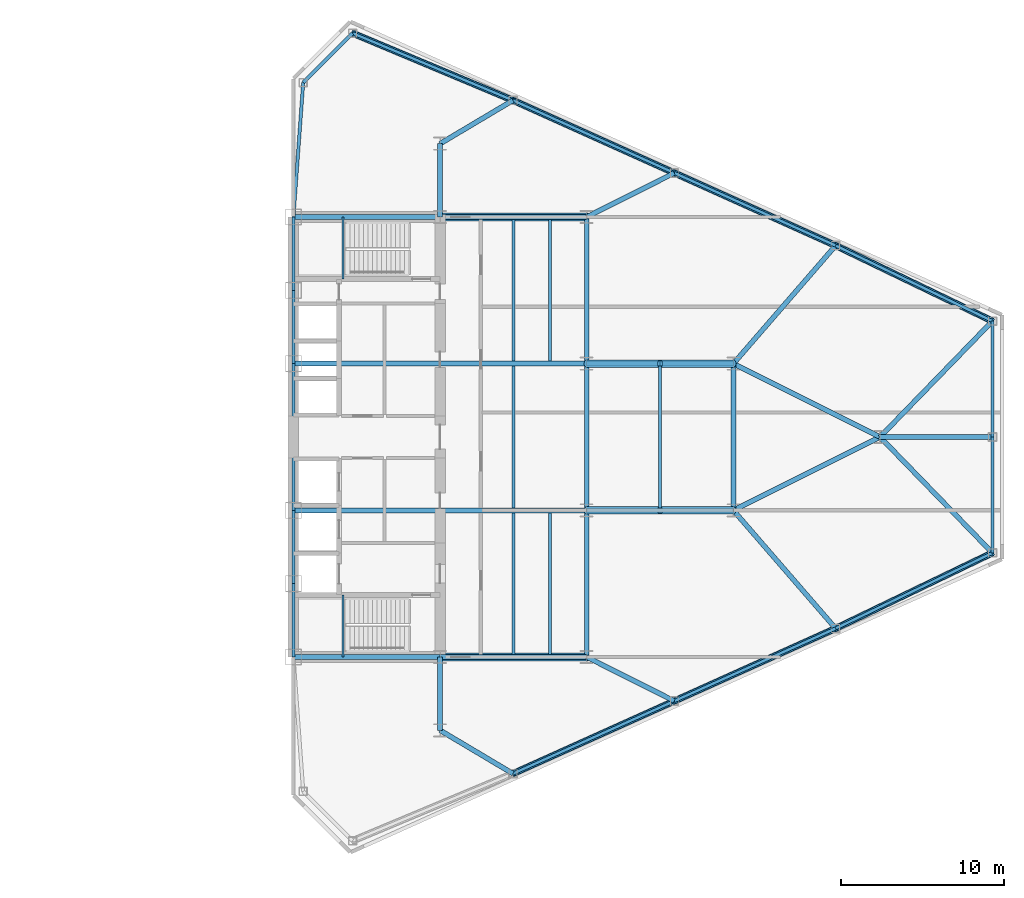
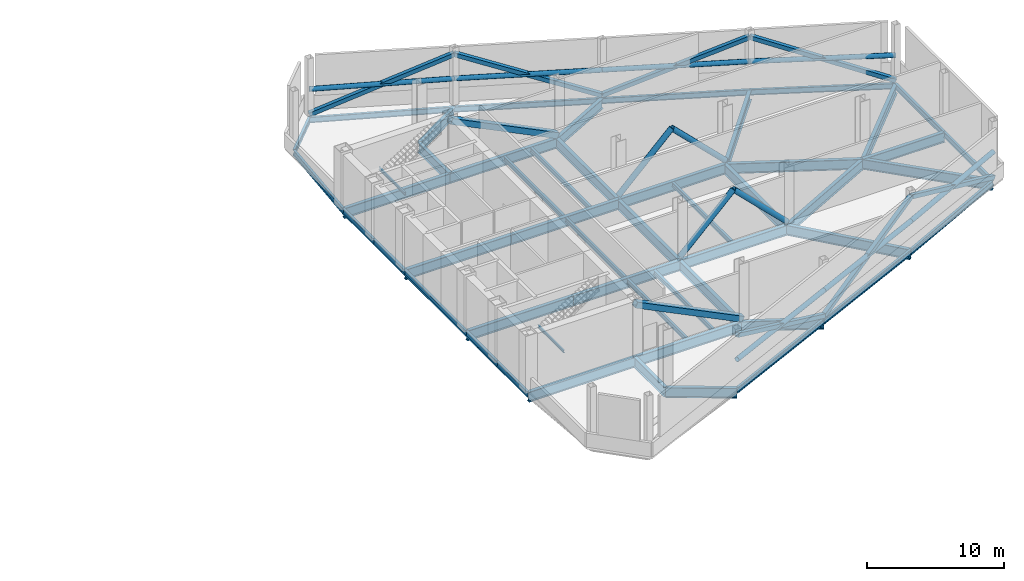
# One storey, part 4 of 11: 51 beams, 20 members.
"""IFC4 building model written with IfcOpenShell, lengths in metres."""

from ifc_helpers import new_model, si_unit, direction, frame, origin, origin_2d, place, context, subcontext, project, spatial, hollow_rectangle, hollow_circle, i_section, extrude, source, transform, mapped, material, material_profile, profile_set, type_object, type_shapes, element, save


model = new_model("IFC4")

# Units and contexts
model_context = context("Model", 3, precision=1e-05, world=origin(), true_north=direction((0.0, 1.0)))
body_context = subcontext(model_context, "Body", "Model", "MODEL_VIEW")
ifc_project = project(units=[si_unit("LENGTHUNIT", "METRE"), si_unit("AREAUNIT", "SQUARE_METRE"), si_unit("VOLUMEUNIT", "CUBIC_METRE"), si_unit("PLANEANGLEUNIT", "RADIAN"), si_unit("MASSUNIT", "GRAM", prefix="KILO")], contexts=[model_context])

# Site, building, storey
site_placement = place(None, origin())
site = spatial("IfcSite", under=ifc_project, at=site_placement, CompositionType="ELEMENT")
building_placement = place(site_placement, origin())
building = spatial("IfcBuilding", under=site, at=building_placement, Name="Seokmaru Belvedere", CompositionType="ELEMENT")
storey_placement = place(building_placement, frame((0.0, 0.0, 87.300048828125)))
storey = spatial("IfcBuildingStorey", under=building, at=storey_placement, Name="L23", CompositionType="ELEMENT", Elevation=87.300048828125)

# Beams
ifc_material_1 = material(Name="Steel SM355 (355 MPa)", Category="steel")
ifc_material_profile_1 = material_profile(ifc_material_1, i_section(OverallWidth=0.199951171875, OverallDepth=0.5, WebThickness=0.010009765625, FlangeThickness=0.01611328125, at=origin_2d()), Name="H-500x200x10x16")
ifc_profile_set_1 = profile_set([ifc_material_profile_1], Name="Steel SM355 (355 MPa)")
beam_type_1 = type_object("IfcBeamType", Name="Perimeter Spandrel Beam H-500", PredefinedType="SPANDREL", material=ifc_profile_set_1)
shared_shape_1 = source(origin(), body_context, "Body", "SweptSolid", [
    extrude(i_section(OverallWidth=0.199951171875, OverallDepth=0.5, WebThickness=0.010009765625, FlangeThickness=0.01611328125, at=origin_2d()), origin(), (0.0, 0.0, 1.0), 4.5),
])
for number, where, z_axis, x_axis, name in (
    (1, (27.5, -13.5, -0.510009765625), (0.0, 1.0, 0.0), (-1.0, 0.0, 0.0), "L23 E Portal Spine Spandrel 1"),
    (2, (27.5, -9.0, -0.510009765625), (0.0, 1.0, 0.0), (-1.0, 0.0, 0.0), "L23 E Portal Spine Spandrel 2"),
    (3, (27.5, 4.5, -0.510009765625), (0.0, 1.0, 0.0), (-1.0, 0.0, 0.0), "L23 E Portal Spine Spandrel 4"),
    (4, (27.5, 9.0, -0.510009765625), (0.0, 1.0, 0.0), (-1.0, 0.0, 0.0), "L23 E Portal Spine Spandrel 5"),
):
    element("IfcBeam", number, at=place(storey_placement, frame(where, z_axis=z_axis, x_axis=x_axis)), inside=storey, type_object=beam_type_1, Name=name, PredefinedType="SPANDREL", context=body_context, shape_type="MappedRepresentation", body=[
        mapped(shared_shape_1, transform((0.0, 0.0, 0.0), scale=1.0)),
    ])
shared_shape_2 = source(origin(), body_context, "Body", "SweptSolid", [
    extrude(i_section(OverallWidth=0.199951171875, OverallDepth=0.5, WebThickness=0.010009765625, FlangeThickness=0.01611328125, at=origin_2d()), origin(), (0.0, 0.0, 1.0), 9.0),
])
beam_1_placement = place(storey_placement, frame((27.5, -4.5, -0.510009765625), z_axis=(0.0, 1.0, 0.0), x_axis=(-1.0, 0.0, 0.0)))
element("IfcBeam", 5, at=beam_1_placement, inside=storey, type_object=beam_type_1, Name="L23 E Portal Spine Spandrel 3", PredefinedType="SPANDREL", context=body_context, shape_type="MappedRepresentation", body=[
    mapped(shared_shape_2, transform((0.0, 0.0, 0.0), scale=1.0)),
])
shared_shape_3 = source(origin(), body_context, "Body", "SweptSolid", [
    extrude(i_section(OverallWidth=0.199951171875, OverallDepth=0.5, WebThickness=0.010009765625, FlangeThickness=0.01611328125, at=origin_2d()), origin(), (0.0, 0.0, 1.0), 10.66943359375),
])
beam_2_placement = place(storey_placement, frame((31.13134765625, 24.782958984375, -0.510009765625), z_axis=(0.922375393128, -0.386294750355, 0.0), x_axis=(0.386294750355, 0.922375393128, 0.0)))
element("IfcBeam", 6, at=beam_2_placement, inside=storey, type_object=beam_type_1, Name="L23 E Faceted Flank Spandrel N-1", PredefinedType="SPANDREL", context=body_context, shape_type="MappedRepresentation", body=[
    mapped(shared_shape_3, transform((0.0, 0.0, 0.0), scale=1.0)),
])
shared_shape_4 = source(origin(), body_context, "Body", "SweptSolid", [
    extrude(i_section(OverallWidth=0.199951171875, OverallDepth=0.5, WebThickness=0.010009765625, FlangeThickness=0.01611328125, at=origin_2d()), origin(), (0.0, 0.0, 1.0), 10.85888671875),
])
for number, where, z_axis, x_axis, name in (
    (7, (40.97265625, -20.661376953125, -0.510009765625), (0.911921505175, 0.410364677329, 0.0), (-0.410364677329, 0.911921505175, 0.0), "L23 E Faceted Flank Spandrel S-2"),
    (8, (50.875, -16.205322265625, -0.510009765625), (0.911925291223, 0.410356263785, 0.0), (-0.410356263785, 0.911925291223, 0.0), "L23 E Faceted Flank Spandrel S-3"),
    (9, (40.97265625, 20.661376953125, -0.510009765625), (0.911921505175, -0.410364677329, 0.0), (0.410364677329, 0.911921505175, 0.0), "L23 E Faceted Flank Spandrel N-2"),
    (10, (50.875, 16.205322265625, -0.510009765625), (0.911925291223, -0.410356263785, 0.0), (0.410356263785, 0.911925291223, 0.0), "L23 E Faceted Flank Spandrel N-3"),
):
    element("IfcBeam", number, at=place(storey_placement, frame(where, z_axis=z_axis, x_axis=x_axis)), inside=storey, type_object=beam_type_1, Name=name, PredefinedType="SPANDREL", context=body_context, shape_type="MappedRepresentation", body=[
        mapped(shared_shape_4, transform((0.0, 0.0, 0.0), scale=1.0)),
    ])
shared_shape_5 = source(origin(), body_context, "Body", "SweptSolid", [
    extrude(i_section(OverallWidth=0.199951171875, OverallDepth=0.5, WebThickness=0.010009765625, FlangeThickness=0.01611328125, at=origin_2d()), origin(), (0.0, 0.0, 1.0), 10.681396484375),
])
for number, where, z_axis, x_axis, name in (
    (11, (60.777587890625, -11.749267578125, -0.510009765625), (0.900846426616, 0.434137899352, 0.0), (-0.434137899352, 0.900846426616, 0.0), "L23 E Faceted Flank Spandrel S-4"),
    (12, (60.777587890625, 11.749267578125, -0.510009765625), (0.900846426616, -0.434137899352, 0.0), (0.434137899352, 0.900846426616, 0.0), "L23 E Faceted Flank Spandrel N-4"),
):
    element("IfcBeam", number, at=place(storey_placement, frame(where, z_axis=z_axis, x_axis=x_axis)), inside=storey, type_object=beam_type_1, Name=name, PredefinedType="SPANDREL", context=body_context, shape_type="MappedRepresentation", body=[
        mapped(shared_shape_5, transform((0.0, 0.0, 0.0), scale=1.0)),
    ])
shared_shape_6 = source(origin(), body_context, "Body", "SweptSolid", [
    extrude(i_section(OverallWidth=0.199951171875, OverallDepth=0.5, WebThickness=0.010009765625, FlangeThickness=0.01611328125, at=origin_2d()), origin(), (0.0, 0.0, 1.0), 7.112060546875),
])
for number, where, z_axis, x_axis, name in (
    (13, (70.39990234375, -7.112060546875, -0.510009765625), (0.0, 1.0, 0.0), (-1.0, 0.0, 0.0), "L23 E Faceted Apex Spandrel S"),
    (14, (70.39990234375, 0.0, -0.510009765625), (0.0, 1.0, 0.0), (-1.0, 0.0, 0.0), "L23 E Faceted Apex Spandrel N"),
):
    element("IfcBeam", number, at=place(storey_placement, frame(where, z_axis=z_axis, x_axis=x_axis)), inside=storey, type_object=beam_type_1, Name=name, PredefinedType="SPANDREL", context=body_context, shape_type="MappedRepresentation", body=[
        mapped(shared_shape_6, transform((0.0, 0.0, 0.0), scale=1.0)),
    ])
shared_shape_7 = source(origin(), body_context, "Body", "SweptSolid", [
    extrude(i_section(OverallWidth=0.199951171875, OverallDepth=0.5, WebThickness=0.010009765625, FlangeThickness=0.01611328125, at=origin_2d()), origin(), (0.0, 0.0, 1.0), 4.287109375),
])
beam_3_placement = place(storey_placement, frame((31.13134765625, 24.782958984375, -0.510009765625), z_axis=(-0.707078306132, -0.707135255094, 0.0), x_axis=(0.707135255094, -0.707078306132, 0.0)))
element("IfcBeam", 15, at=beam_3_placement, inside=storey, type_object=beam_type_1, Name="L23 E Shoulder Chamfer Spandrel N", PredefinedType="SPANDREL", context=body_context, shape_type="MappedRepresentation", body=[
    mapped(shared_shape_7, transform((0.0, 0.0, 0.0), scale=1.0)),
])
shared_shape_8 = source(origin(), body_context, "Body", "SweptSolid", [
    extrude(i_section(OverallWidth=0.199951171875, OverallDepth=0.5, WebThickness=0.010009765625, FlangeThickness=0.01611328125, at=origin_2d()), origin(), (0.0, 0.0, 1.0), 8.273193359375),
])
type_shapes(beam_type_1, [shared_shape_1, shared_shape_2, shared_shape_3, shared_shape_4, shared_shape_5, shared_shape_6, shared_shape_7, shared_shape_8])
beam_4_placement = place(storey_placement, frame((28.10009765625, 21.75146484375, -0.510009765625), z_axis=(-0.072534628348, -0.99736589459, 0.0), x_axis=(0.99736589459, -0.072534628348, 0.0)))
element("IfcBeam", 16, at=beam_4_placement, inside=storey, type_object=beam_type_1, Name="L23 E Shoulder Spine Spandrel N", PredefinedType="SPANDREL", context=body_context, shape_type="MappedRepresentation", body=[
    mapped(shared_shape_8, transform((0.0, 0.0, 0.0), scale=1.0)),
])
ifc_material_profile_2 = material_profile(ifc_material_1, i_section(OverallWidth=0.300048828125, OverallDepth=0.89990234375, WebThickness=0.01611328125, FlangeThickness=0.028076171875, at=origin_2d()), Name="H-900x300x16x28")
ifc_profile_set_2 = profile_set([ifc_material_profile_2], Name="Steel SM355 (355 MPa)")
beam_type_2 = type_object("IfcBeamType", Name="Refuge Floor Girder H-900", PredefinedType="BEAM", material=ifc_profile_set_2)
shared_shape_9 = source(origin(), body_context, "Body", "SweptSolid", [
    extrude(i_section(OverallWidth=0.300048828125, OverallDepth=0.89990234375, WebThickness=0.01611328125, FlangeThickness=0.028076171875, at=origin_2d()), origin(), (0.0, 0.0, 1.0), 4.5),
])
for number, where, z_axis, x_axis, name in (
    (17, (36.5, -18.0, -0.7099609375), (0.0, 1.0, 0.0), (-1.0, 0.0, 0.0), "L23 E Core Shoulder Girder S"),
    (18, (36.5, 13.5, -0.7099609375), (0.0, 1.0, 0.0), (-1.0, 0.0, 0.0), "L23 E Core Shoulder Girder N"),
):
    element("IfcBeam", number, at=place(storey_placement, frame(where, z_axis=z_axis, x_axis=x_axis)), inside=storey, type_object=beam_type_2, Name=name, PredefinedType="BEAM", context=body_context, shape_type="MappedRepresentation", body=[
        mapped(shared_shape_9, transform((0.0, 0.0, 0.0), scale=1.0)),
    ])
shared_shape_10 = source(origin(), body_context, "Body", "SweptSolid", [
    extrude(i_section(OverallWidth=0.300048828125, OverallDepth=0.89990234375, WebThickness=0.01611328125, FlangeThickness=0.028076171875, at=origin_2d()), origin(), (0.0, 0.0, 1.0), 9.0),
])
for number, where, z_axis, x_axis, name in (
    (19, (45.5, -13.5, -0.7099609375), (0.0, 1.0, 0.0), (-1.0, 0.0, 0.0), "L23 E Interior Grid Girder 1"),
    (20, (45.5, -4.5, -0.7099609375), (0.0, 1.0, 0.0), (-1.0, 0.0, 0.0), "L23 E Interior Grid Girder 2"),
    (21, (45.5, 4.5, -0.7099609375), (0.0, 1.0, 0.0), (-1.0, 0.0, 0.0), "L23 E Interior Grid Girder 3"),
    (22, (27.5, -13.5, -0.7099609375), (1.0, 0.0, 0.0), (0.0, 1.0, 0.0), "L23 E Core Tie Girder 1"),
    (23, (36.5, -13.5, -0.7099609375), (1.0, 0.0, 0.0), (0.0, 1.0, 0.0), "L23 E Wing Primary Girder 1"),
    (24, (27.5, -4.5, -0.7099609375), (1.0, 0.0, 0.0), (0.0, 1.0, 0.0), "L23 E Core Tie Girder 2"),
    (25, (36.5, -4.5, -0.7099609375), (1.0, 0.0, 0.0), (0.0, 1.0, 0.0), "L23 E Wing Primary Girder 2"),
    (26, (27.5, 4.5, -0.7099609375), (1.0, 0.0, 0.0), (0.0, 1.0, 0.0), "L23 E Core Tie Girder 3"),
    (27, (36.5, 4.5, -0.7099609375), (1.0, 0.0, 0.0), (0.0, 1.0, 0.0), "L23 E Wing Primary Girder 3"),
    (28, (27.5, 13.5, -0.7099609375), (1.0, 0.0, 0.0), (0.0, 1.0, 0.0), "L23 E Core Tie Girder 4"),
    (29, (36.5, 13.5, -0.7099609375), (1.0, 0.0, 0.0), (0.0, 1.0, 0.0), "L23 E Wing Primary Girder 4"),
    (30, (45.5, -4.5, -0.7099609375), (1.0, 0.0, 0.0), (0.0, 1.0, 0.0), "L23 E Outer Wing Girder 1"),
    (31, (45.5, 4.5, -0.7099609375), (1.0, 0.0, 0.0), (0.0, 1.0, 0.0), "L23 E Outer Wing Girder 2"),
    (32, (54.5, -4.5, -0.7099609375), (0.0, 1.0, 0.0), (-1.0, 0.0, 0.0), "L23 E Apex Frame Girder"),
):
    element("IfcBeam", number, at=place(storey_placement, frame(where, z_axis=z_axis, x_axis=x_axis)), inside=storey, type_object=beam_type_2, Name=name, PredefinedType="BEAM", context=body_context, shape_type="MappedRepresentation", body=[
        mapped(shared_shape_10, transform((0.0, 0.0, 0.0), scale=1.0)),
    ])
shared_shape_11 = source(origin(), body_context, "Body", "SweptSolid", [
    extrude(i_section(OverallWidth=0.300048828125, OverallDepth=0.89990234375, WebThickness=0.01611328125, FlangeThickness=0.028076171875, at=origin_2d()), origin(), (0.0, 0.0, 1.0), 10.062255859375),
])
for number, where, z_axis, x_axis, name in (
    (33, (54.5, -4.5, -0.7099609375), (0.894427191, 0.4472135955, 0.0), (-0.4472135955, 0.894427191, 0.0), "L23 E Apex Converging Girder 1"),
    (34, (54.5, 4.5, -0.7099609375), (0.894427191, -0.4472135955, 0.0), (0.4472135955, 0.894427191, 0.0), "L23 E Apex Converging Girder 2"),
):
    element("IfcBeam", number, at=place(storey_placement, frame(where, z_axis=z_axis, x_axis=x_axis)), inside=storey, type_object=beam_type_2, Name=name, PredefinedType="BEAM", context=body_context, shape_type="MappedRepresentation", body=[
        mapped(shared_shape_11, transform((0.0, 0.0, 0.0), scale=1.0)),
    ])
ifc_material_profile_3 = material_profile(ifc_material_1, i_section(OverallWidth=0.199951171875, OverallDepth=0.39990234375, WebThickness=0.008056640625, FlangeThickness=0.012939453125, at=origin_2d()), Name="H-400x200x8x13")
ifc_profile_set_3 = profile_set([ifc_material_profile_3], Name="Steel SM355 (355 MPa)")
beam_type_3 = type_object("IfcBeamType", Name="Secondary Floor Joist H-400", PredefinedType="JOIST", material=ifc_profile_set_3)
shared_shape_12 = source(origin(), body_context, "Body", "SweptSolid", [
    extrude(i_section(OverallWidth=0.199951171875, OverallDepth=0.39990234375, WebThickness=0.008056640625, FlangeThickness=0.012939453125, at=origin_2d()), origin(), (0.0, 0.0, 1.0), 8.68994140625),
])
type_shapes(beam_type_3, [shared_shape_12])
for number, where, z_axis, x_axis, name in (
    (35, (43.25, -13.344970703125, -0.4599609375), (0.0, 1.0, 0.0), (-1.0, 0.0, 0.0), "L23 E Wing Inner Secondary Joist 1"),
    (36, (43.25, 4.655029296875, -0.4599609375), (0.0, 1.0, 0.0), (-1.0, 0.0, 0.0), "L23 E Wing Inner Secondary Joist 2"),
    (37, (41.0, -13.344970703125, -0.4599609375), (0.0, 1.0, 0.0), (-1.0, 0.0, 0.0), "L23 E Secondary Floor Joist 1"),
    (38, (41.0, -4.344970703125, -0.4599609375), (0.0, 1.0, 0.0), (-1.0, 0.0, 0.0), "L23 E Secondary Floor Joist 2"),
    (39, (41.0, 4.655029296875, -0.4599609375), (0.0, 1.0, 0.0), (-1.0, 0.0, 0.0), "L23 E Secondary Floor Joist 3"),
    (40, (50.0, -4.344970703125, -0.4599609375), (0.0, 1.0, 0.0), (-1.0, 0.0, 0.0), "L23 E Outer Bay Secondary Joist"),
):
    element("IfcBeam", number, at=place(storey_placement, frame(where, z_axis=z_axis, x_axis=x_axis)), inside=storey, type_object=beam_type_3, Name=name, PredefinedType="JOIST", context=body_context, shape_type="MappedRepresentation", body=[
        mapped(shared_shape_12, transform((0.0, 0.0, 0.0), scale=1.0)),
    ])
shared_shape_13 = source(origin(), body_context, "Body", "SweptSolid", [
    extrude(i_section(OverallWidth=0.300048828125, OverallDepth=0.89990234375, WebThickness=0.01611328125, FlangeThickness=0.028076171875, at=origin_2d()), origin(), (0.0, 0.0, 1.0), 5.20458984375),
])
for number, where, z_axis, x_axis, name in (
    (41, (40.97265625, -20.661376953125, -0.7099609375), (-0.859370434188, 0.511353553662, 0.0), (-0.511353553662, -0.859370434188, 0.0), "L23 E Flank Radial Floor Girder S-1"),
    (42, (40.97265625, 20.661376953125, -0.7099609375), (-0.859370434188, -0.511353553662, 0.0), (0.511353553662, -0.859370434188, 0.0), "L23 E Flank Radial Floor Girder N-1"),
):
    element("IfcBeam", number, at=place(storey_placement, frame(where, z_axis=z_axis, x_axis=x_axis)), inside=storey, type_object=beam_type_2, Name=name, PredefinedType="BEAM", context=body_context, shape_type="MappedRepresentation", body=[
        mapped(shared_shape_13, transform((0.0, 0.0, 0.0), scale=1.0)),
    ])
shared_shape_14 = source(origin(), body_context, "Body", "SweptSolid", [
    extrude(i_section(OverallWidth=0.300048828125, OverallDepth=0.89990234375, WebThickness=0.01611328125, FlangeThickness=0.028076171875, at=origin_2d()), origin(), (0.0, 0.0, 1.0), 6.017333984375),
])
for number, where, z_axis, x_axis, name in (
    (43, (50.875, -16.205322265625, -0.7099609375), (-0.893239341975, 0.449581447512, 0.0), (-0.449581447512, -0.893239341975, 0.0), "L23 E Flank Radial Floor Girder S-2"),
    (44, (50.875, 16.205322265625, -0.7099609375), (-0.893239341975, -0.449581447512, 0.0), (0.449581447512, -0.893239341975, 0.0), "L23 E Flank Radial Floor Girder N-2"),
):
    element("IfcBeam", number, at=place(storey_placement, frame(where, z_axis=z_axis, x_axis=x_axis)), inside=storey, type_object=beam_type_2, Name=name, PredefinedType="BEAM", context=body_context, shape_type="MappedRepresentation", body=[
        mapped(shared_shape_14, transform((0.0, 0.0, 0.0), scale=1.0)),
    ])
shared_shape_15 = source(origin(), body_context, "Body", "SweptSolid", [
    extrude(i_section(OverallWidth=0.300048828125, OverallDepth=0.89990234375, WebThickness=0.01611328125, FlangeThickness=0.028076171875, at=origin_2d()), origin(), (0.0, 0.0, 1.0), 9.589599609375),
])
for number, where, z_axis, x_axis, name in (
    (45, (60.777587890625, -11.749267578125, -0.7099609375), (-0.654626140929, 0.755952786629, 0.0), (-0.755952786629, -0.654626140929, 0.0), "L23 E Flank Radial Floor Girder S-3"),
    (46, (60.777587890625, 11.749267578125, -0.7099609375), (-0.654626140929, -0.755952786629, 0.0), (0.755952786629, -0.654626140929, 0.0), "L23 E Flank Radial Floor Girder N-3"),
):
    element("IfcBeam", number, at=place(storey_placement, frame(where, z_axis=z_axis, x_axis=x_axis)), inside=storey, type_object=beam_type_2, Name=name, PredefinedType="BEAM", context=body_context, shape_type="MappedRepresentation", body=[
        mapped(shared_shape_15, transform((0.0, 0.0, 0.0), scale=1.0)),
    ])
shared_shape_16 = source(origin(), body_context, "Body", "SweptSolid", [
    extrude(i_section(OverallWidth=0.300048828125, OverallDepth=0.89990234375, WebThickness=0.01611328125, FlangeThickness=0.028076171875, at=origin_2d()), origin(), (0.0, 0.0, 1.0), 9.9091796875),
])
for number, where, z_axis, x_axis, name in (
    (47, (70.39990234375, -7.112060546875, -0.7099609375), (-0.6963205089, 0.717730972499, 0.0), (-0.717730972499, -0.6963205089, 0.0), "L23 E Apex Radial Floor Girder 1"),
    (48, (70.39990234375, 7.112060546875, -0.7099609375), (-0.6963205089, -0.717730972499, 0.0), (0.717730972499, -0.6963205089, 0.0), "L23 E Apex Radial Floor Girder 2"),
):
    element("IfcBeam", number, at=place(storey_placement, frame(where, z_axis=z_axis, x_axis=x_axis)), inside=storey, type_object=beam_type_2, Name=name, PredefinedType="BEAM", context=body_context, shape_type="MappedRepresentation", body=[
        mapped(shared_shape_16, transform((0.0, 0.0, 0.0), scale=1.0)),
    ])
shared_shape_17 = source(origin(), body_context, "Body", "SweptSolid", [
    extrude(i_section(OverallWidth=0.300048828125, OverallDepth=0.89990234375, WebThickness=0.01611328125, FlangeThickness=0.028076171875, at=origin_2d()), origin(), (0.0, 0.0, 1.0), 6.89990234375),
])
type_shapes(beam_type_2, [shared_shape_9, shared_shape_10, shared_shape_11, shared_shape_13, shared_shape_14, shared_shape_15, shared_shape_16, shared_shape_17])
beam_5_placement = place(storey_placement, frame((70.39990234375, 0.0, -0.7099609375), z_axis=(-1.0, 0.0, 0.0), x_axis=(0.0, -1.0, 0.0)))
element("IfcBeam", 49, at=beam_5_placement, inside=storey, type_object=beam_type_2, Name="L23 E Apex Center Radial Girder", PredefinedType="BEAM", context=body_context, shape_type="MappedRepresentation", body=[
    mapped(shared_shape_17, transform((0.0, 0.0, 0.0), scale=1.0)),
])

# Members
ifc_material_2 = material(Name="Steel HSA650 (650 MPa)", Category="steel")
ifc_material_profile_4 = material_profile(ifc_material_2, hollow_rectangle(XDim=0.5, YDim=0.5, WallThickness=0.02001953125, at=origin_2d()), Name="HSS-500x500x20")
ifc_profile_set_4 = profile_set([ifc_material_profile_4], Name="Steel HSA650 (650 MPa)")
member_type_1 = type_object("IfcMemberType", Name="Outrigger Truss Diagonal HSS-500", PredefinedType="BRACE", material=ifc_profile_set_4)
shared_shape_18 = source(origin(), body_context, "Body", "SweptSolid", [
    extrude(hollow_rectangle(XDim=0.5, YDim=0.5, WallThickness=0.02001953125, at=origin_2d()), origin(), (0.0, 0.0, 1.0), 10.03125),
])
type_shapes(member_type_1, [shared_shape_18])
for number, where, z_axis, x_axis, name in (
    (50, (45.5, -13.5, 0.0), (-0.897203761247, 0.0, 0.441616814449), (0.0, -1.0, 0.0), "L23 E Outrigger Truss Diagonal 1A"),
    (51, (45.5, 13.5, 0.0), (-0.897203761247, 0.0, 0.441616814449), (0.0, -1.0, 0.0), "L23 E Outrigger Truss Diagonal 4A"),
):
    element("IfcMember", number, at=place(storey_placement, frame(where, z_axis=z_axis, x_axis=x_axis)), inside=storey, type_object=member_type_1, Name=name, PredefinedType="BRACE", context=body_context, shape_type="MappedRepresentation", body=[
        mapped(shared_shape_18, transform((0.0, 0.0, 0.0), scale=1.0)),
    ])
ifc_material_profile_5 = material_profile(ifc_material_2, hollow_circle(Radius=0.228515625, WallThickness=0.01611328125, at=origin_2d()), Name="CHS-457.2x16.0")
ifc_profile_set_5 = profile_set([ifc_material_profile_5], Name="Steel HSA650 (650 MPa)")
member_type_2 = type_object("IfcMemberType", Name="Outrigger Tie Strut CHS-457", PredefinedType="BRACE", material=ifc_profile_set_5)
shared_shape_19 = source(origin(), body_context, "Body", "SweptSolid", [
    extrude(hollow_circle(Radius=0.228515625, WallThickness=0.01611328125, at=origin_2d()), origin(), (0.0, 0.0, 1.0), 6.314697265625),
])
type_shapes(member_type_2, [shared_shape_19])
for number, where, z_axis, x_axis, name in (
    (52, (45.5, -4.5, 0.0), (0.712633129905, 0.0, 0.701536900072), (0.0, 1.0, 0.0), "L23 E Outrigger Truss Diagonal 2A"),
    (53, (54.5, -4.5, 0.0), (-0.712633129905, 0.0, 0.701536900072), (0.0, -1.0, 0.0), "L23 E Outrigger Truss Diagonal 2B"),
    (54, (45.5, 4.5, 0.0), (0.712633129905, 0.0, 0.701536900072), (0.0, 1.0, 0.0), "L23 E Outrigger Truss Diagonal 3A"),
    (55, (54.5, 4.5, 0.0), (-0.712633129905, 0.0, 0.701536900072), (0.0, -1.0, 0.0), "L23 E Outrigger Truss Diagonal 3B"),
):
    element("IfcMember", number, at=place(storey_placement, frame(where, z_axis=z_axis, x_axis=x_axis)), inside=storey, type_object=member_type_2, Name=name, PredefinedType="BRACE", context=body_context, shape_type="MappedRepresentation", body=[
        mapped(shared_shape_19, transform((0.0, 0.0, 0.0), scale=1.0)),
    ])
ifc_material_profile_6 = material_profile(ifc_material_2, hollow_rectangle(XDim=0.35009765625, YDim=0.35009765625, WallThickness=0.013916015625, at=origin_2d()), Name="HSS-350x350x14")
ifc_profile_set_6 = profile_set([ifc_material_profile_6], Name="Steel HSA650 (650 MPa)")
member_type_3 = type_object("IfcMemberType", Name="Belt Truss Diagonal HSS-350", PredefinedType="BRACE", material=ifc_profile_set_6)
shared_shape_20 = source(origin(), body_context, "Body", "SweptSolid", [
    extrude(hollow_rectangle(XDim=0.35009765625, YDim=0.35009765625, WallThickness=0.013916015625, at=origin_2d()), origin(), (0.0, 0.0, 1.0), 11.552734375),
])
member_1_placement = place(storey_placement, frame((31.13134765625, 24.782958984375, 0.0), z_axis=(0.851867924986, -0.356765921846, 0.383456797293), x_axis=(0.386294750355, 0.922375393128, 0.0)))
element("IfcMember", 56, at=member_1_placement, inside=storey, type_object=member_type_3, Name="L23 E Perimeter Belt Truss Brace 5", PredefinedType="BRACE", context=body_context, shape_type="MappedRepresentation", body=[
    mapped(shared_shape_20, transform((0.0, 0.0, 0.0), scale=1.0)),
])
ifc_material_profile_7 = material_profile(ifc_material_1, hollow_circle(Radius=0.203125, WallThickness=0.01416015625, at=origin_2d()), Name="CHS-406.4x14.2")
ifc_profile_set_7 = profile_set([ifc_material_profile_7], Name="Steel SM355 (355 MPa)")
member_type_4 = type_object("IfcMemberType", Name="Belt Truss Chord Member CHS-406", PredefinedType="CHORD", material=ifc_profile_set_7)
shared_shape_21 = source(origin(), body_context, "Body", "SweptSolid", [
    extrude(hollow_circle(Radius=0.203125, WallThickness=0.01416015625, at=origin_2d()), origin(), (0.0, 0.0, 1.0), 10.66943359375),
])
member_2_placement = place(storey_placement, frame((31.13134765625, 24.782958984375, 2.21484375), z_axis=(0.922375393128, -0.386294750355, 0.0), x_axis=(0.386294750355, 0.922375393128, 0.0)))
element("IfcMember", 57, at=member_2_placement, inside=storey, type_object=member_type_4, Name="L23 E Perimeter Belt Truss Chord 5", PredefinedType="CHORD", context=body_context, shape_type="MappedRepresentation", body=[
    mapped(shared_shape_21, transform((0.0, 0.0, 0.0), scale=1.0)),
])
shared_shape_22 = source(origin(), body_context, "Body", "SweptSolid", [
    extrude(hollow_rectangle(XDim=0.35009765625, YDim=0.35009765625, WallThickness=0.013916015625, at=origin_2d()), origin(), (0.0, 0.0, 1.0), 11.7275390625),
])
for number, where, z_axis, x_axis, name in (
    (58, (40.97265625, -20.661376953125, 4.429931640625), (0.844360717739, 0.379962322982, -0.377734842785), (-0.410364677329, 0.911921505175, 0.0), "L23 E Perimeter Belt Truss Brace 2"),
    (59, (40.97265625, 20.661376953125, 4.429931640625), (0.844360717739, -0.379962322982, -0.377734842785), (0.410364677329, 0.911921505175, 0.0), "L23 E Perimeter Belt Truss Brace 6"),
):
    element("IfcMember", number, at=place(storey_placement, frame(where, z_axis=z_axis, x_axis=x_axis)), inside=storey, type_object=member_type_3, Name=name, PredefinedType="BRACE", context=body_context, shape_type="MappedRepresentation", body=[
        mapped(shared_shape_22, transform((0.0, 0.0, 0.0), scale=1.0)),
    ])
shared_shape_23 = source(origin(), body_context, "Body", "SweptSolid", [
    extrude(hollow_circle(Radius=0.203125, WallThickness=0.01416015625, at=origin_2d()), origin(), (0.0, 0.0, 1.0), 10.85888671875),
])
for number, where, z_axis, x_axis, name in (
    (60, (40.97265625, -20.661376953125, 2.21484375), (0.911921505175, 0.410364677329, 0.0), (-0.410364677329, 0.911921505175, 0.0), "L23 E Perimeter Belt Truss Chord 2"),
    (61, (50.875, -16.205322265625, 2.21484375), (0.911925291223, 0.410356263785, 0.0), (-0.410356263785, 0.911925291223, 0.0), "L23 E Perimeter Belt Truss Chord 3"),
    (62, (40.97265625, 20.661376953125, 2.21484375), (0.911921505175, -0.410364677329, 0.0), (0.410364677329, 0.911921505175, 0.0), "L23 E Perimeter Belt Truss Chord 6"),
    (63, (50.875, 16.205322265625, 2.21484375), (0.911925291223, -0.410356263785, 0.0), (0.410356263785, 0.911925291223, 0.0), "L23 E Perimeter Belt Truss Chord 7"),
):
    element("IfcMember", number, at=place(storey_placement, frame(where, z_axis=z_axis, x_axis=x_axis)), inside=storey, type_object=member_type_4, Name=name, PredefinedType="CHORD", context=body_context, shape_type="MappedRepresentation", body=[
        mapped(shared_shape_23, transform((0.0, 0.0, 0.0), scale=1.0)),
    ])
shared_shape_24 = source(origin(), body_context, "Body", "SweptSolid", [
    extrude(hollow_rectangle(XDim=0.35009765625, YDim=0.35009765625, WallThickness=0.013916015625, at=origin_2d()), origin(), (0.0, 0.0, 1.0), 11.727783203125),
])
for number, where, z_axis, x_axis, name in (
    (64, (50.875, -16.205322265625, 0.0), (0.844366693369, 0.379955644273, 0.377728203229), (-0.410356263785, 0.911925291223, 0.0), "L23 E Perimeter Belt Truss Brace 3"),
    (65, (50.875, 16.205322265625, 0.0), (0.844366693369, -0.379955644273, 0.377728203229), (0.410356263785, 0.911925291223, 0.0), "L23 E Perimeter Belt Truss Brace 7"),
):
    element("IfcMember", number, at=place(storey_placement, frame(where, z_axis=z_axis, x_axis=x_axis)), inside=storey, type_object=member_type_3, Name=name, PredefinedType="BRACE", context=body_context, shape_type="MappedRepresentation", body=[
        mapped(shared_shape_24, transform((0.0, 0.0, 0.0), scale=1.0)),
    ])
shared_shape_25 = source(origin(), body_context, "Body", "SweptSolid", [
    extrude(hollow_rectangle(XDim=0.35009765625, YDim=0.35009765625, WallThickness=0.013916015625, at=origin_2d()), origin(), (0.0, 0.0, 1.0), 11.563720703125),
])
type_shapes(member_type_3, [shared_shape_20, shared_shape_22, shared_shape_24, shared_shape_25])
for number, where, z_axis, x_axis, name in (
    (66, (60.777587890625, -11.749267578125, 4.429931640625), (0.83212077514, 0.401017481618, -0.383092671578), (-0.434137899352, 0.900846426616, 0.0), "L23 E Perimeter Belt Truss Brace 4"),
    (67, (60.777587890625, 11.749267578125, 4.429931640625), (0.83212077514, -0.401017481618, -0.383092671578), (0.434137899352, 0.900846426616, 0.0), "L23 E Perimeter Belt Truss Brace 8"),
):
    element("IfcMember", number, at=place(storey_placement, frame(where, z_axis=z_axis, x_axis=x_axis)), inside=storey, type_object=member_type_3, Name=name, PredefinedType="BRACE", context=body_context, shape_type="MappedRepresentation", body=[
        mapped(shared_shape_25, transform((0.0, 0.0, 0.0), scale=1.0)),
    ])
shared_shape_26 = source(origin(), body_context, "Body", "SweptSolid", [
    extrude(hollow_circle(Radius=0.203125, WallThickness=0.01416015625, at=origin_2d()), origin(), (0.0, 0.0, 1.0), 10.681396484375),
])
type_shapes(member_type_4, [shared_shape_21, shared_shape_23, shared_shape_26])
for number, where, z_axis, x_axis, name in (
    (68, (60.777587890625, -11.749267578125, 2.21484375), (0.900846426616, 0.434137899352, 0.0), (-0.434137899352, 0.900846426616, 0.0), "L23 E Perimeter Belt Truss Chord 4"),
    (69, (60.777587890625, 11.749267578125, 2.21484375), (0.900846426616, -0.434137899352, 0.0), (0.434137899352, 0.900846426616, 0.0), "L23 E Perimeter Belt Truss Chord 8"),
):
    element("IfcMember", number, at=place(storey_placement, frame(where, z_axis=z_axis, x_axis=x_axis)), inside=storey, type_object=member_type_4, Name=name, PredefinedType="CHORD", context=body_context, shape_type="MappedRepresentation", body=[
        mapped(shared_shape_26, transform((0.0, 0.0, 0.0), scale=1.0)),
    ])

# Beams
ifc_material_profile_8 = material_profile(ifc_material_1, i_section(OverallWidth=0.125, OverallDepth=0.25, WebThickness=0.006103515625, FlangeThickness=0.009033203125, at=origin_2d()), Name="H-250x125x6x9")
ifc_profile_set_8 = profile_set([ifc_material_profile_8], Name="Steel SM355 (355 MPa)")
beam_type_4 = type_object("IfcBeamType", Name="Stair Mid-Landing Support Beam H-250", PredefinedType="JOIST", material=ifc_profile_set_8)
shared_shape_27 = source(origin(), body_context, "Body", "SweptSolid", [
    extrude(i_section(OverallWidth=0.125, OverallDepth=0.25, WebThickness=0.006103515625, FlangeThickness=0.009033203125, at=origin_2d()), origin(), (0.0, 0.0, 1.0), 3.800048828125),
])
type_shapes(beam_type_4, [shared_shape_27])
for number, where, z_axis, x_axis, name in (
    (70, (30.530029296875, -13.5, 2.224853515625), (0.0, 1.0, 0.0), (-1.0, 0.0, 0.0), "L23 Stair ST-E1 Mid-Landing Support Beam 1"),
    (71, (30.530029296875, 9.699951171875, 2.224853515625), (0.0, 1.0, 0.0), (-1.0, 0.0, 0.0), "L23 Stair ST-E2 Mid-Landing Support Beam 1"),
):
    element("IfcBeam", number, at=place(storey_placement, frame(where, z_axis=z_axis, x_axis=x_axis)), inside=storey, type_object=beam_type_4, Name=name, PredefinedType="JOIST", context=body_context, shape_type="MappedRepresentation", body=[
        mapped(shared_shape_27, transform((0.0, 0.0, 0.0), scale=1.0)),
    ])

save(model, "model.ifc")
